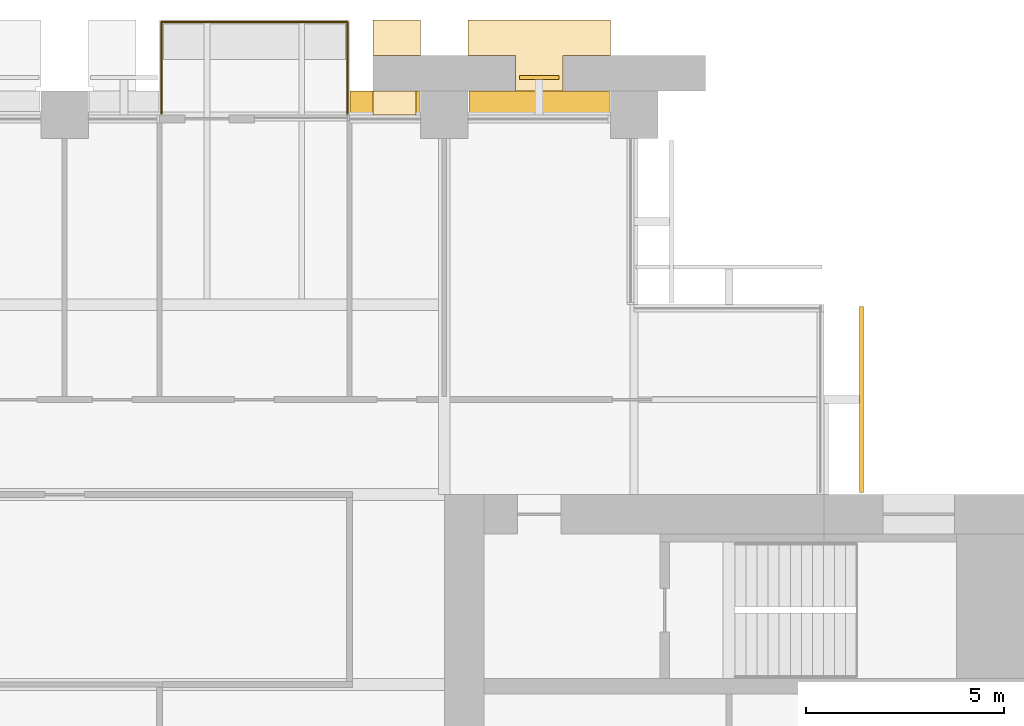
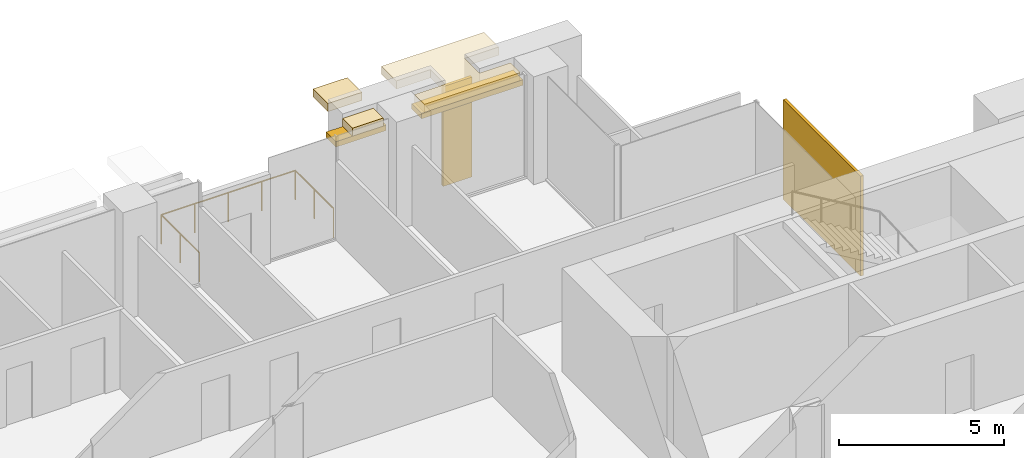
# One storey, part 15 of 15: 5 coverings, 2 shading devices, 1 railing.
"""IFC4 building model written with IfcOpenShell, lengths in metres."""

from ifc_helpers import new_model, si_unit, direction, frame, origin, origin_2d, place, context, subcontext, project, spatial, polyline, rectangle, circle, outline, extrude, material, layer, layer_set, type_object, element, save


model = new_model("IFC4")

# Units and contexts
model_context = context("Model", 3, precision=1e-05, world=origin(), true_north=direction((0.0, 1.0)))
body_context = subcontext(model_context, "Body", "Model", "MODEL_VIEW")
ifc_project = project(units=[si_unit("LENGTHUNIT", "METRE"), si_unit("AREAUNIT", "SQUARE_METRE"), si_unit("VOLUMEUNIT", "CUBIC_METRE"), si_unit("PLANEANGLEUNIT", "RADIAN"), si_unit("MASSUNIT", "GRAM", prefix="KILO")], contexts=[model_context])

# Site, building, storey
site_placement = place(None, origin())
site = spatial("IfcSite", under=ifc_project, at=site_placement, CompositionType="ELEMENT")
building_placement = place(site_placement, origin())
building = spatial("IfcBuilding", under=site, at=building_placement, Name="Baori Bourse Tower", CompositionType="ELEMENT")
storey_placement = place(building_placement, frame((0.0, 0.0, 164.10009765625)))
storey = spatial("IfcBuildingStorey", under=building, at=storey_placement, Name="L36", CompositionType="ELEMENT", Elevation=164.10009765625)

# Coverings
ifc_material_1 = material(Name="Pale anodised aluminium", Category="aluminium")
covering_type_1 = type_object("IfcCoveringType", Name="BD1 Pale metal band", PredefinedType="CLADDING", material=ifc_material_1)
covering_1_placement = place(storey_placement, frame((0.0, 0.0, 3.539794921875)))
element("IfcCovering", 1, at=covering_1_placement, inside=storey, type_object=covering_type_1, Name="Pale projecting band L36 2", PredefinedType="CLADDING", context=body_context, shape_type="SweptSolid", body=[
    extrude(outline(polyline([(39.1201171875, 48.0), (42.47998046875, 48.0), (42.47998046875, 48.60009765625), (41.39990234375, 48.60009765625), (41.39990234375, 49.5), (42.60009765625, 49.5), (42.60009765625, 50.39990234375), (39.0, 50.39990234375), (39.0, 49.5), (40.199951171875, 49.5), (40.199951171875, 48.60009765625), (39.1201171875, 48.60009765625), (39.1201171875, 48.0)])), origin(), (0.0, 0.0, 1.0), 0.300048828125),
])
covering_2_placement = place(storey_placement, frame((0.0, 0.0, 3.539794921875)))
element("IfcCovering", 2, at=covering_2_placement, inside=storey, type_object=covering_type_1, Name="Pale projecting band L36 3", PredefinedType="CLADDING", context=body_context, shape_type="SweptSolid", body=[
    extrude(outline(polyline([(37.800048828125, 50.39990234375), (36.60009765625, 50.39990234375), (36.60009765625, 49.5), (37.800048828125, 49.5), (37.800048828125, 50.39990234375)])), origin(), (0.0, 0.0, 1.0), 0.300048828125),
])
covering_3_placement = place(storey_placement, frame((0.0, 0.0, 3.539794921875)))
element("IfcCovering", 3, at=covering_3_placement, inside=storey, type_object=covering_type_1, Name="Pale projecting band L36 4", PredefinedType="CLADDING", context=body_context, shape_type="SweptSolid", body=[
    extrude(outline(polyline([(36.60009765625, 48.0), (37.679931640625, 48.0), (37.679931640625, 48.60009765625), (36.60009765625, 48.60009765625), (36.60009765625, 48.0)])), origin(), (0.0, 0.0, 1.0), 0.300048828125),
])

# Shading devices
ifc_material_2 = material(Name="Concrete f'c 40 MPa", Category="concrete")
ifc_layer_1 = layer(ifc_material_2, 0.199951171875)
ifc_layer_set_1 = layer_set([ifc_layer_1], Name="BS1 Brise-soleil ledge")
shading_device_type = type_object("IfcShadingDeviceType", Name="BS1 Brise-soleil ledge", PredefinedType="USERDEFINED", material=ifc_layer_set_1)
shading_device_1_placement = place(storey_placement, frame((40.800048828125, 48.300048828125, 3.33984375), z_axis=(0.0, 0.0, 1.0), x_axis=(-1.0, 0.0, 0.0)))
element("IfcShadingDevice", 4, at=shading_device_1_placement, inside=storey, type_object=shading_device_type, Name="Brise-soleil ledge L36 1", ObjectType="BRISE SOLEIL", PredefinedType="USERDEFINED", context=body_context, shape_type="SweptSolid", body=[
    extrude(rectangle(XDim=3.56005859375, YDim=0.60009765625, at=origin_2d()), origin(), (0.0, 0.0, 1.0), 0.199951171875),
])
shading_device_2_placement = place(storey_placement, frame((36.89990234375, 48.300048828125, 3.33984375), z_axis=(0.0, 0.0, 1.0), x_axis=(-1.0, 0.0, 0.0)))
element("IfcShadingDevice", 5, at=shading_device_2_placement, inside=storey, type_object=shading_device_type, Name="Brise-soleil ledge L36 2", ObjectType="BRISE SOLEIL", PredefinedType="USERDEFINED", context=body_context, shape_type="SweptSolid", body=[
    extrude(rectangle(XDim=1.760009765625, YDim=0.60009765625, at=origin_2d()), origin(), (0.0, 0.0, 1.0), 0.199951171875),
])

# Railing
ifc_material_3 = material(Name="Stainless steel", Category="steel")
railing_type = type_object("IfcRailingType", Name="GD1 Guard", PredefinedType="GUARDRAIL", material=ifc_material_3)
railing_placement = place(storey_placement, frame((31.25, 48.030029296875, 0.0)))
element("IfcRailing", 6, at=railing_placement, inside=storey, type_object=railing_type, Name="Guard balcony N L36 2", PredefinedType="GUARDRAIL", context=body_context, shape_type="SweptSolid", body=[
    extrude(circle(Radius=0.02392578125, at=origin_2d()), frame((0.0, 0.0, 1.076171875), z_axis=(0.0, 1.0, 0.0), x_axis=(-1.0, 0.0, 0.0)), (0.0, 0.0, 1.0), 2.320068359375),
    extrude(circle(Radius=0.02392578125, at=origin_2d()), frame((0.0, 2.320068359375, 1.076171875), z_axis=(1.0, 0.0, 0.0), x_axis=(0.0, 1.0, 0.0)), (0.0, 0.0, 1.0), 4.699951171875),
    extrude(circle(Radius=0.02392578125, at=origin_2d()), frame((4.699951171875, 2.320068359375, 1.076171875), z_axis=(0.0, -1.0, 0.0), x_axis=(1.0, 0.0, 0.0)), (0.0, 0.0, 1.0), 2.320068359375),
    extrude(circle(Radius=0.02099609375, at=origin_2d()), origin(), (0.0, 0.0, 1.0), 1.052001953125),
    extrude(circle(Radius=0.02099609375, at=origin_2d()), frame((0.0, 1.16015625, 0.0)), (0.0, 0.0, 1.0), 1.052001953125),
    extrude(circle(Radius=0.02099609375, at=origin_2d()), frame((0.0, 2.320068359375, 0.0)), (0.0, 0.0, 1.0), 1.052001953125),
    extrude(circle(Radius=0.02099609375, at=origin_2d()), frame((1.175048828125, 2.320068359375, 0.0)), (0.0, 0.0, 1.0), 1.052001953125),
    extrude(circle(Radius=0.02099609375, at=origin_2d()), frame((2.35009765625, 2.320068359375, 0.0)), (0.0, 0.0, 1.0), 1.052001953125),
    extrude(circle(Radius=0.02099609375, at=origin_2d()), frame((3.52490234375, 2.320068359375, 0.0)), (0.0, 0.0, 1.0), 1.052001953125),
    extrude(circle(Radius=0.02099609375, at=origin_2d()), frame((4.699951171875, 2.320068359375, 0.0)), (0.0, 0.0, 1.0), 1.052001953125),
    extrude(circle(Radius=0.02099609375, at=origin_2d()), frame((4.699951171875, 1.16015625, 0.0)), (0.0, 0.0, 1.0), 1.052001953125),
    extrude(circle(Radius=0.02099609375, at=origin_2d()), frame((4.699951171875, 0.0, 0.0)), (0.0, 0.0, 1.0), 1.052001953125),
])

# Coverings
ifc_material_4 = material(Name="Pale anodised aluminium", Category="aluminium")
ifc_layer_2 = layer(ifc_material_4, 0.10009765625)
ifc_layer_set_2 = layer_set([ifc_layer_2], Name="OS3 Outer skin screen panel")
covering_type_2 = type_object("IfcCoveringType", Name="OS3 Outer skin screen panel", PredefinedType="CLADDING", material=ifc_layer_set_2)
covering_4_placement = place(storey_placement, frame((0.0, 0.0, -0.16015625)))
element("IfcCovering", 7, at=covering_4_placement, inside=storey, type_object=covering_type_2, Name="Outer skin screen L36 1", PredefinedType="CLADDING", context=body_context, shape_type="SweptSolid", body=[
    extrude(outline(polyline([(48.89990234375, 43.14990234375), (48.89990234375, 38.449951171875), (49.0, 38.449951171875), (49.0, 43.14990234375), (48.89990234375, 43.14990234375)])), origin(), (0.0, 0.0, 1.0), 3.699951171875),
])
covering_5_placement = place(storey_placement, frame((0.0, 0.0, -0.16015625)))
element("IfcCovering", 8, at=covering_5_placement, inside=storey, type_object=covering_type_2, Name="Outer skin screen L36 4", PredefinedType="CLADDING", context=body_context, shape_type="SweptSolid", body=[
    extrude(outline(polyline([(40.300048828125, 48.89990234375), (41.300048828125, 48.89990234375), (41.300048828125, 49.0), (40.300048828125, 49.0), (40.300048828125, 48.89990234375)])), origin(), (0.0, 0.0, 1.0), 3.699951171875),
])

save(model, "model.ifc")
